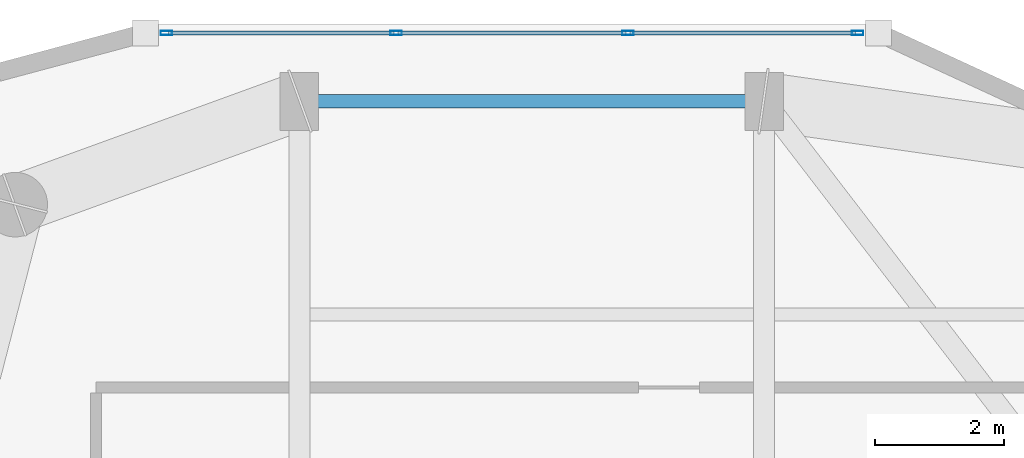
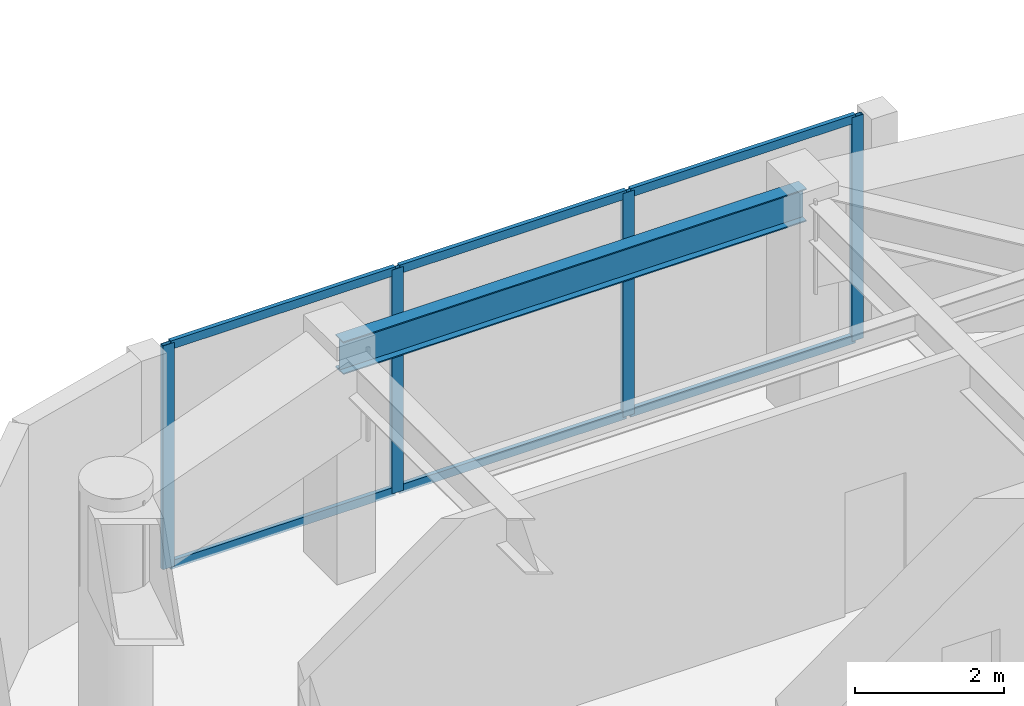
# One storey, part 6 of 15: 10 members, 1 beam, 1 element without a shape of its own.
"""IFC4 building model written with IfcOpenShell, lengths in metres."""

import ifcopenshell
import ifcopenshell.guid

model = None  # the IFC model being written
_history = None  # IfcOwnerHistory: only IFC2X3 demands one
_inside = {}  # id of a spatial element -> (the spatial element, [elements in it])
_under = {}  # id of a project, library or spatial element -> (it, [spatial elements below it])
_declared = {}  # id of a project -> (the project, [libraries it declares])
_typed = {}  # id of a type object -> (the type object, [elements of that type])
_made_of = {}  # id of a material, layer set ... -> (it, [elements and type objects made of it])


def new_model(schema):
    """Start an empty IFC model of exactly this schema.

    Asked for "IFC4X3", IfcOpenShell would pick the latest addendum, in which some entities
    have other attributes; the version numbers below select the first issue.
    IFC2X3 requires an IfcOwnerHistory on every rooted entity: one is made here for all.
    """
    global model, _history
    if schema == "IFC4X3":
        model = ifcopenshell.file(schema_version=(4, 3, 0, 0))
    else:
        model = ifcopenshell.file(schema=schema)
    _inside.clear()
    _under.clear()
    _declared.clear()
    _typed.clear()
    _made_of.clear()
    _history = None
    if model.schema == "IFC2X3":
        org = make("IfcOrganization", Name="unknown")
        user = make(
            "IfcPersonAndOrganization",
            ThePerson=make("IfcPerson", FamilyName="unknown"),
            TheOrganization=org,
        )
        app = make(
            "IfcApplication",
            ApplicationDeveloper=org,
            Version="unknown",
            ApplicationFullName="unknown",
            ApplicationIdentifier="unknown",
        )
        _history = make(
            "IfcOwnerHistory",
            OwningUser=user,
            OwningApplication=app,
            ChangeAction="ADDED",
            CreationDate=0,
        )
    return model


def make(cls, **values):
    """One entity of the class cls with the attributes given. An attribute that is None is left unset."""
    return model.create_entity(
        cls, **{name: value for name, value in values.items() if value is not None}
    )


def rooted(cls, **values):
    """An entity with a GlobalId (a new one), such as an element, a storey or a relation."""
    return make(cls, GlobalId=ifcopenshell.guid.new(), OwnerHistory=_history, **values)


def si_unit(unit_type, name, prefix=None):
    """IfcSIUnit, for example si_unit("LENGTHUNIT", "METRE", prefix="MILLI")."""
    return make("IfcSIUnit", UnitType=unit_type, Prefix=prefix, Name=name)


def assignment(units):
    """IfcUnitAssignment: the units of a project."""
    return None if units is None else make("IfcUnitAssignment", Units=units)


def point(xyz):
    """IfcCartesianPoint."""
    return None if xyz is None else make("IfcCartesianPoint", Coordinates=xyz)


def direction(xyz):
    """IfcDirection."""
    return None if xyz is None else make("IfcDirection", DirectionRatios=xyz)


def frame(location, z_axis=None, x_axis=None):
    """IfcAxis2Placement3D, a coordinate frame: its origin and axes. An axis left out is left unset."""
    return make(
        "IfcAxis2Placement3D",
        Location=point(location),
        Axis=direction(z_axis),
        RefDirection=direction(x_axis),
    )


def frame_2d(location, x_axis=None):
    """IfcAxis2Placement2D, a coordinate frame in the plane: its origin and x axis."""
    return make(
        "IfcAxis2Placement2D", Location=point(location), RefDirection=direction(x_axis)
    )


def origin():
    """The frame at (0, 0, 0) with its axes left unset."""
    return frame((0.0, 0.0, 0.0))


def origin_2d():
    """The frame at (0, 0) in the plane with its x axis left unset."""
    return frame_2d((0.0, 0.0))


def place(relative_to, where):
    """IfcLocalPlacement: puts the frame where relative to a parent placement (None: the world)."""
    return make(
        "IfcLocalPlacement", PlacementRelTo=relative_to, RelativePlacement=where
    )


def context(
    kind, dimensions, precision=None, world=None, true_north=None, identifier=None
):
    """IfcGeometricRepresentationContext, for example the 3D "Model" context."""
    return make(
        "IfcGeometricRepresentationContext",
        ContextIdentifier=identifier,
        ContextType=kind,
        CoordinateSpaceDimension=dimensions,
        Precision=precision,
        WorldCoordinateSystem=world,
        TrueNorth=true_north,
    )


def subcontext(parent, identifier, kind, view, scale=None):
    """IfcGeometricRepresentationSubContext, for example "Body" below "Model"."""
    return make(
        "IfcGeometricRepresentationSubContext",
        ContextIdentifier=identifier,
        ContextType=kind,
        ParentContext=parent,
        TargetScale=scale,
        TargetView=view,
    )


def project(units=None, contexts=None):
    """IfcProject with its units and contexts."""
    return rooted(
        "IfcProject",
        Name="project",
        RepresentationContexts=contexts,
        UnitsInContext=assignment(units),
    )


def spatial(cls, under=None, at=None, **own):
    """A site, building, storey or space (cls), placed at a placement, below another one or the project."""
    s = rooted(cls, ObjectPlacement=at, **own)
    if under is not None:
        _under.setdefault(under.id(), (under, []))[1].append(s)
    return s


def profile(cls, at=None, kind="AREA", **sizes):
    """A parametric profile (cls). Its sizes go by their IFC names, for example OverallWidth=200.0."""
    return make(cls, ProfileType=kind, Position=at, **sizes)


def hollow_rectangle(**sizes):
    """IfcRectangleHollowProfileDef."""
    return profile("IfcRectangleHollowProfileDef", **sizes)


def i_section(**sizes):
    """IfcIShapeProfileDef."""
    return profile("IfcIShapeProfileDef", **sizes)


def extrude(swept, where, along, depth):
    """IfcExtrudedAreaSolid: the profile swept, set in the frame where, extruded along a direction by depth."""
    return make(
        "IfcExtrudedAreaSolid",
        SweptArea=swept,
        Position=where,
        ExtrudedDirection=direction(along),
        Depth=depth,
    )


def shape(context_of_items, identifier, shape_type, items):
    """IfcShapeRepresentation: the items that make up one representation, for example the "Body"."""
    return make(
        "IfcShapeRepresentation",
        ContextOfItems=context_of_items,
        RepresentationIdentifier=identifier,
        RepresentationType=shape_type,
        Items=items,
    )


def material(Name=None, Category=None):
    """IfcMaterial."""
    return make("IfcMaterial", Name=Name, Category=Category)


def layer(
    of_material, thickness, ventilated=None, Name=None, Category=None, Priority=None
):
    """IfcMaterialLayer: one layer of a wall or slab, of a material (None: an air gap)."""
    return make(
        "IfcMaterialLayer",
        Material=of_material,
        LayerThickness=thickness,
        IsVentilated=ventilated,
        Name=Name,
        Category=Category,
        Priority=Priority,
    )


def layer_set(layers, Name=None):
    """IfcMaterialLayerSet."""
    return make("IfcMaterialLayerSet", MaterialLayers=layers, LayerSetName=Name)


def material_profile(
    of_material, cross_section, Name=None, Category=None, Priority=None
):
    """IfcMaterialProfile: a cross section and its material."""
    return make(
        "IfcMaterialProfile",
        Name=Name,
        Material=of_material,
        Profile=cross_section,
        Priority=Priority,
        Category=Category,
    )


def profile_set(profiles, Name=None, composite=None):
    """IfcMaterialProfileSet."""
    return make(
        "IfcMaterialProfileSet",
        Name=Name,
        MaterialProfiles=profiles,
        CompositeProfile=composite,
    )


def made_of(thing, what):
    """Note that an element or type object is made of a material, layer set ...; save() writes the relation."""
    if what is not None:
        _made_of.setdefault(what.id(), (what, []))[1].append(thing)
    return thing


def type_object(cls, material=None, **own):
    """A type object (cls), such as IfcWallType, which elements share."""
    return made_of(rooted(cls, **own), material)


def element(
    cls,
    number,
    at=None,
    inside=None,
    cuts=None,
    type_object=None,
    material=None,
    context=None,
    identifier="Body",
    shape_type=None,
    held_by="IfcProductDefinitionShape",
    body=None,
    shapes=None,
    **own,
):
    """One element of the class cls, such as IfcWall. Its Tag is "e" and its number.

    at: its placement. inside: the storey or other place that contains it. cuts: it is an
    opening in that element (IfcRelVoidsElement). A single representation is given by context,
    identifier, shape_type and body (its items); several are given by shapes. held_by: the class
    of the entity that holds the representations. save() writes the other relations.
    """
    e = rooted(cls, Tag="e%d" % number, ObjectPlacement=at, **own)
    if body is not None:
        shapes = [shape(context, identifier, shape_type, body)]
    if shapes is not None:
        e.Representation = make(held_by, Representations=shapes)
    if inside is not None:
        _inside.setdefault(inside.id(), (inside, []))[1].append(e)
    if cuts is not None:
        rooted(
            "IfcRelVoidsElement", RelatingBuildingElement=cuts, RelatedOpeningElement=e
        )
    if type_object is not None:
        _typed.setdefault(type_object.id(), (type_object, []))[1].append(e)
    return made_of(e, material)


def aggregate(whole, parts):
    """IfcRelAggregates: a whole, such as a stair, and the parts it consists of."""
    return rooted("IfcRelAggregates", RelatingObject=whole, RelatedObjects=parts)


def save(model, path):
    """Write the relations noted so far, then the file.

    IfcRelAggregates (storeys below a building ...), IfcRelContainedInSpatialStructure (elements
    in a storey), IfcRelDefinesByType, IfcRelAssociatesMaterial and IfcRelDeclares: one each for
    every whole, place, type object, material and project.
    """
    for whole, parts in _under.values():
        aggregate(whole, parts)
    for where, things in _inside.values():
        rooted(
            "IfcRelContainedInSpatialStructure",
            RelatedElements=things,
            RelatingStructure=where,
        )
    for kind, things in _typed.values():
        rooted("IfcRelDefinesByType", RelatedObjects=things, RelatingType=kind)
    for what, things in _made_of.values():
        rooted("IfcRelAssociatesMaterial", RelatedObjects=things, RelatingMaterial=what)
    for by, libraries in _declared.values():
        rooted("IfcRelDeclares", RelatingContext=by, RelatedDefinitions=libraries)
    model.write(path)


model = new_model("IFC4")

# Units and contexts
model_context = context("Model", 3, precision=1e-05, world=origin(), true_north=direction((0.0, 1.0)))
body_context = subcontext(model_context, "Body", "Model", "MODEL_VIEW")
ifc_project = project(units=[si_unit("LENGTHUNIT", "METRE"), si_unit("AREAUNIT", "SQUARE_METRE"), si_unit("VOLUMEUNIT", "CUBIC_METRE"), si_unit("PLANEANGLEUNIT", "RADIAN"), si_unit("MASSUNIT", "GRAM", prefix="KILO")], contexts=[model_context])

# Site, building, storey
site_placement = place(None, origin())
site = spatial("IfcSite", under=ifc_project, at=site_placement, CompositionType="ELEMENT")
building_placement = place(site_placement, origin())
building = spatial("IfcBuilding", under=site, at=building_placement, Name="Kiyonajd Concourse Tower", CompositionType="ELEMENT")
storey_placement = place(building_placement, frame((0.0, 0.0, 286.199951171875)))
storey = spatial("IfcBuildingStorey", under=building, at=storey_placement, Name="L72", CompositionType="ELEMENT", Elevation=286.199951171875)

# Beam
ifc_material_1 = material(Name="Steel ASTM A992 Grade 50", Category="steel")
ifc_material_profile_1 = material_profile(ifc_material_1, i_section(OverallWidth=0.2109375, OverallDepth=0.5390625, WebThickness=0.01171875, FlangeThickness=0.018798828125, at=origin_2d()), Name="W530X109")
ifc_profile_set_1 = profile_set([ifc_material_profile_1], Name="Steel ASTM A992 Grade 50")
beam_type = type_object("IfcBeamType", Name="BM-SPAN-530B", PredefinedType="SPANDREL", material=ifc_profile_set_1)
beam_placement = place(storey_placement, frame((39.60009765625, 52.199951171875, 3.41064453125), z_axis=(-1.0, 0.0, 0.0), x_axis=(0.0, -1.0, 0.0)))
element("IfcBeam", 1, at=beam_placement, inside=storey, type_object=beam_type, Name="L72 Perimeter Bundled Tube Spandrel", PredefinedType="SPANDREL", context=body_context, shape_type="SweptSolid", body=[
    extrude(i_section(OverallWidth=0.2109375, OverallDepth=0.5390625, WebThickness=0.01171875, FlangeThickness=0.018798828125, at=origin_2d()), origin(), (0.0, 0.0, 1.0), 7.2001953125),
])

# Curtain wall, members
ifc_material_2 = material(Name="Thermally Broken Anodised Aluminium", Category="aluminium")
ifc_layer = layer(ifc_material_2, 0.179931640625)
ifc_layer_set = layer_set([ifc_layer], Name="Thermally Broken Anodised Aluminium")
curtain_wall_type = type_object("IfcCurtainWallType", Name="CW-SYS-04", PredefinedType="NOTDEFINED", material=ifc_layer_set)
curtain_wall_placement = place(storey_placement, origin())
curtain_wall = element("IfcCurtainWall", 2, at=curtain_wall_placement, inside=storey, type_object=curtain_wall_type, Name="L72 Unitised Curtain Wall CW4", PredefinedType="NOTDEFINED")
ifc_material_profile_2 = material_profile(ifc_material_2, hollow_rectangle(XDim=0.06494140625, YDim=0.179931640625, WallThickness=0.00390625, at=origin_2d()), Name="MULL-65x180")
ifc_profile_set_2 = profile_set([ifc_material_profile_2], Name="Thermally Broken Anodised Aluminium")
member_type_1 = type_object("IfcMemberType", Name="MB-CW-MULL1", PredefinedType="MULLION", material=ifc_profile_set_2)
member_1_placement = place(storey_placement, frame((30.3408203125, 53.260009765625, 0.0), z_axis=(0.0, 0.0, 1.0), x_axis=(0.0, 1.0, 0.0)))
member_1 = element("IfcMember", 3, at=member_1_placement, type_object=member_type_1, Name="CW4 mullion 1", PredefinedType="MULLION", context=body_context, shape_type="SweptSolid", body=[
    extrude(hollow_rectangle(XDim=0.06494140625, YDim=0.179931640625, WallThickness=0.00390625, at=origin_2d()), origin(), (0.0, 0.0, 1.0), 3.679931640625),
])
member_2_placement = place(storey_placement, frame((33.898681640625, 53.260009765625, 0.0), z_axis=(0.0, 0.0, 1.0), x_axis=(0.0, 1.0, 0.0)))
member_2 = element("IfcMember", 4, at=member_2_placement, type_object=member_type_1, Name="CW4 mullion 2", PredefinedType="MULLION", context=body_context, shape_type="SweptSolid", body=[
    extrude(hollow_rectangle(XDim=0.06494140625, YDim=0.179931640625, WallThickness=0.00390625, at=origin_2d()), origin(), (0.0, 0.0, 1.0), 3.679931640625),
])
member_3_placement = place(storey_placement, frame((37.489013671875, 53.260009765625, 0.0), z_axis=(0.0, 0.0, 1.0), x_axis=(0.0, 1.0, 0.0)))
member_3 = element("IfcMember", 5, at=member_3_placement, type_object=member_type_1, Name="CW4 mullion 3", PredefinedType="MULLION", context=body_context, shape_type="SweptSolid", body=[
    extrude(hollow_rectangle(XDim=0.06494140625, YDim=0.179931640625, WallThickness=0.00390625, at=origin_2d()), origin(), (0.0, 0.0, 1.0), 3.679931640625),
])
member_4_placement = place(storey_placement, frame((41.046875, 53.260009765625, 0.0), z_axis=(0.0, 0.0, 1.0), x_axis=(0.0, 1.0, 0.0)))
member_4 = element("IfcMember", 6, at=member_4_placement, type_object=member_type_1, Name="CW4 mullion 4", PredefinedType="MULLION", context=body_context, shape_type="SweptSolid", body=[
    extrude(hollow_rectangle(XDim=0.06494140625, YDim=0.179931640625, WallThickness=0.00390625, at=origin_2d()), origin(), (0.0, 0.0, 1.0), 3.679931640625),
])
ifc_material_profile_3 = material_profile(ifc_material_2, hollow_rectangle(XDim=0.06494140625, YDim=0.139892578125, WallThickness=0.00390625, at=origin_2d()), Name="TRAN-65x140")
ifc_profile_set_3 = profile_set([ifc_material_profile_3], Name="Thermally Broken Anodised Aluminium")
member_type_2 = type_object("IfcMemberType", Name="MB-CW-TRAN1", PredefinedType="USERDEFINED", material=ifc_profile_set_3)
member_5_placement = place(storey_placement, frame((30.373291015625, 53.260009765625, 0.032470703125), z_axis=(1.0, 0.0, 0.0), x_axis=(0.0, 1.0, 0.0)))
member_5 = element("IfcMember", 7, at=member_5_placement, type_object=member_type_2, Name="CW4 transom 1.1", ObjectType="TRANSOM", PredefinedType="USERDEFINED", context=body_context, shape_type="SweptSolid", body=[
    extrude(hollow_rectangle(XDim=0.06494140625, YDim=0.139892578125, WallThickness=0.00390625, at=origin_2d()), origin(), (0.0, 0.0, 1.0), 3.492919921875),
])
member_6_placement = place(storey_placement, frame((30.373291015625, 53.260009765625, 3.6474609375), z_axis=(1.0, 0.0, 0.0), x_axis=(0.0, 1.0, 0.0)))
member_6 = element("IfcMember", 8, at=member_6_placement, type_object=member_type_2, Name="CW4 transom 1.2", ObjectType="TRANSOM", PredefinedType="USERDEFINED", context=body_context, shape_type="SweptSolid", body=[
    extrude(hollow_rectangle(XDim=0.06494140625, YDim=0.139892578125, WallThickness=0.00390625, at=origin_2d()), origin(), (0.0, 0.0, 1.0), 3.492919921875),
])
member_7_placement = place(storey_placement, frame((33.93115234375, 53.260009765625, 0.032470703125), z_axis=(1.0, 0.0, 0.0), x_axis=(0.0, 1.0, 0.0)))
member_7 = element("IfcMember", 9, at=member_7_placement, type_object=member_type_2, Name="CW4 transom 2.1", ObjectType="TRANSOM", PredefinedType="USERDEFINED", context=body_context, shape_type="SweptSolid", body=[
    extrude(hollow_rectangle(XDim=0.06494140625, YDim=0.139892578125, WallThickness=0.00390625, at=origin_2d()), origin(), (0.0, 0.0, 1.0), 3.525390625),
])
member_8_placement = place(storey_placement, frame((33.93115234375, 53.260009765625, 3.6474609375), z_axis=(1.0, 0.0, 0.0), x_axis=(0.0, 1.0, 0.0)))
member_8 = element("IfcMember", 10, at=member_8_placement, type_object=member_type_2, Name="CW4 transom 2.2", ObjectType="TRANSOM", PredefinedType="USERDEFINED", context=body_context, shape_type="SweptSolid", body=[
    extrude(hollow_rectangle(XDim=0.06494140625, YDim=0.139892578125, WallThickness=0.00390625, at=origin_2d()), origin(), (0.0, 0.0, 1.0), 3.525390625),
])
member_9_placement = place(storey_placement, frame((37.521484375, 53.260009765625, 0.032470703125), z_axis=(1.0, 0.0, 0.0), x_axis=(0.0, 1.0, 0.0)))
member_9 = element("IfcMember", 11, at=member_9_placement, type_object=member_type_2, Name="CW4 transom 3.1", ObjectType="TRANSOM", PredefinedType="USERDEFINED", context=body_context, shape_type="SweptSolid", body=[
    extrude(hollow_rectangle(XDim=0.06494140625, YDim=0.139892578125, WallThickness=0.00390625, at=origin_2d()), origin(), (0.0, 0.0, 1.0), 3.492919921875),
])
member_10_placement = place(storey_placement, frame((37.521484375, 53.260009765625, 3.6474609375), z_axis=(1.0, 0.0, 0.0), x_axis=(0.0, 1.0, 0.0)))
member_10 = element("IfcMember", 12, at=member_10_placement, type_object=member_type_2, Name="CW4 transom 3.2", ObjectType="TRANSOM", PredefinedType="USERDEFINED", context=body_context, shape_type="SweptSolid", body=[
    extrude(hollow_rectangle(XDim=0.06494140625, YDim=0.139892578125, WallThickness=0.00390625, at=origin_2d()), origin(), (0.0, 0.0, 1.0), 3.492919921875),
])
aggregate(curtain_wall, [member_1, member_2, member_3, member_4, member_5, member_6, member_7, member_8, member_9, member_10])

save(model, "model.ifc")
